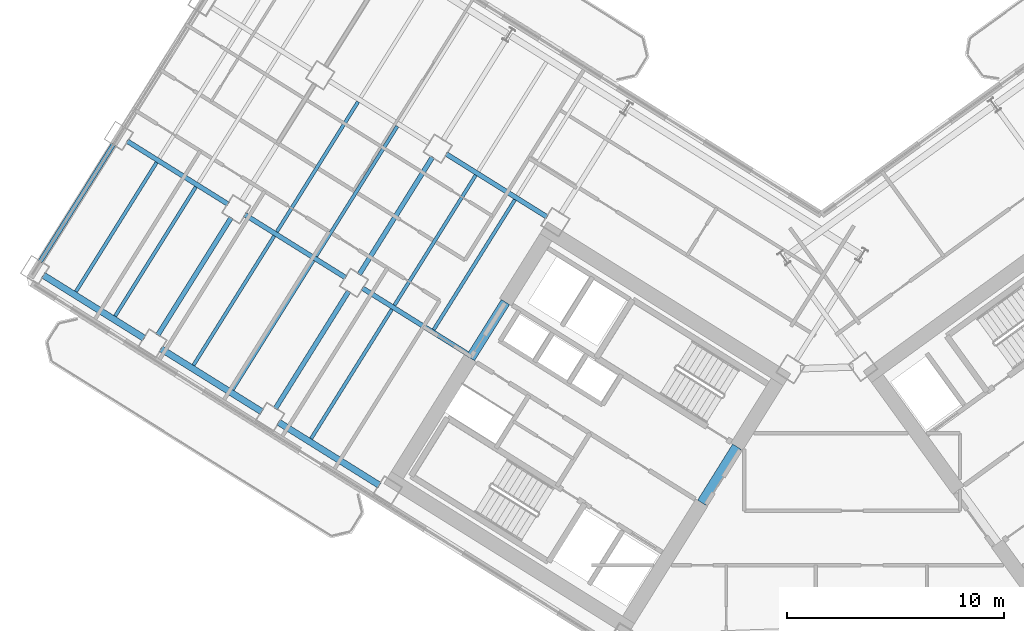
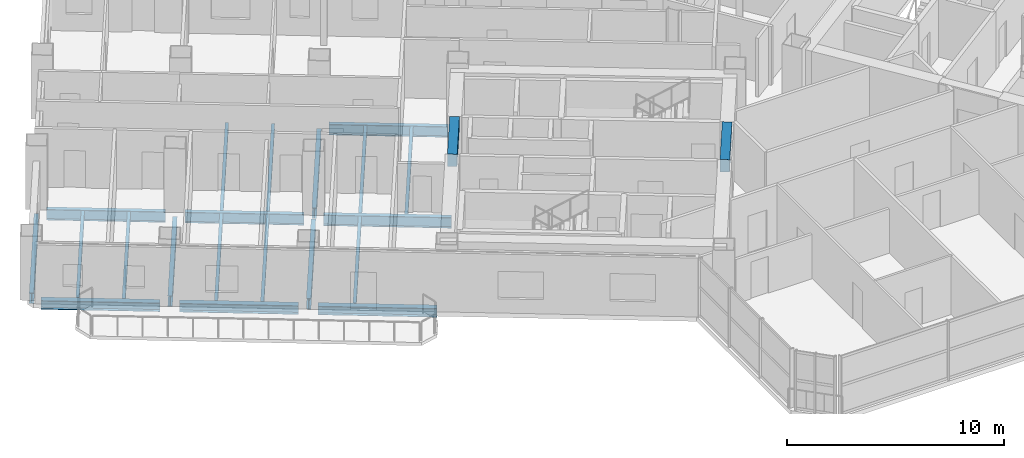
# One storey, part 5 of 21: 22 beams.
"""IFC4 building model written with IfcOpenShell, lengths in metres."""

from ifc_helpers import new_model, si_unit, direction, frame, origin, origin_2d, place, context, subcontext, project, spatial, rectangle, i_section, extrude, source, transform, mapped, material, material_profile, profile_set, type_object, element, save


model = new_model("IFC4")

# Units and contexts
model_context = context("Model", 3, precision=1e-05, world=origin(), true_north=direction((0.0, 1.0)))
body_context = subcontext(model_context, "Body", "Model", "MODEL_VIEW")
ifc_project = project(units=[si_unit("LENGTHUNIT", "METRE"), si_unit("AREAUNIT", "SQUARE_METRE"), si_unit("VOLUMEUNIT", "CUBIC_METRE"), si_unit("PLANEANGLEUNIT", "RADIAN"), si_unit("MASSUNIT", "GRAM", prefix="KILO")], contexts=[model_context])

# Site, building, storey
site_placement = place(None, origin())
site = spatial("IfcSite", under=ifc_project, at=site_placement, CompositionType="ELEMENT")
building_placement = place(site_placement, origin())
building = spatial("IfcBuilding", under=site, at=building_placement, Name="Tlacorven Tower", CompositionType="ELEMENT")
storey_placement = place(building_placement, frame((0.0, 0.0, 81.0)))
storey = spatial("IfcBuildingStorey", under=building, at=storey_placement, Name="L20", CompositionType="ELEMENT", Elevation=81.0)

# Beams
ifc_material_1 = material(Name="Concrete C60/75", Category="concrete")
ifc_material_profile_1 = material_profile(ifc_material_1, rectangle(XDim=0.449951171875, YDim=0.699951171875, at=origin_2d()), Name="RC 450X700")
ifc_profile_set_1 = profile_set([ifc_material_profile_1], Name="Concrete C60/75")
beam_type_1 = type_object("IfcBeamType", Name="BM-LNT-700", PredefinedType="LINTEL", material=ifc_profile_set_1)
shared_shape_1 = source(origin(), body_context, "Body", "SweptSolid", [
    extrude(rectangle(XDim=0.449951171875, YDim=0.699951171875, at=origin_2d()), origin(), (0.0, 0.0, 1.0), 3.050048828125),
])
beam_1_placement = place(storey_placement, frame((38.2998046875, 20.890625, 2.969970703125), z_axis=(-0.529984549635, -0.848007297815, 0.0), x_axis=(0.848007297815, -0.529984549635, 0.0)))
element("IfcBeam", 1, at=beam_1_placement, inside=storey, type_object=beam_type_1, Name="L20 W core coupling lintel beam E1", PredefinedType="LINTEL", context=body_context, shape_type="MappedRepresentation", body=[
    mapped(shared_shape_1, transform((0.0, 0.0, 0.0), scale=1.0)),
])
shared_shape_2 = source(origin(), body_context, "Body", "SweptSolid", [
    extrude(rectangle(XDim=0.449951171875, YDim=0.699951171875, at=origin_2d()), origin(), (0.0, 0.0, 1.0), 3.0498046875),
])
beam_2_placement = place(storey_placement, frame((27.622802734375, 27.562255859375, 2.969970703125), z_axis=(-0.529926983584, -0.848043272522, 0.0), x_axis=(0.848043272522, -0.529926983584, 0.0)))
element("IfcBeam", 2, at=beam_2_placement, inside=storey, type_object=beam_type_1, Name="L20 W core coupling lintel beam E2", PredefinedType="LINTEL", context=body_context, shape_type="MappedRepresentation", body=[
    mapped(shared_shape_2, transform((0.0, 0.0, 0.0), scale=1.0)),
])
ifc_material_2 = material(Name="Steel S355J2", Category="steel")
ifc_material_profile_2 = material_profile(ifc_material_2, i_section(OverallWidth=0.300048828125, OverallDepth=0.489990234375, WebThickness=0.011962890625, FlangeThickness=0.02294921875, at=origin_2d()), Name="HEA 500")
ifc_profile_set_2 = profile_set([ifc_material_profile_2], Name="Steel S355J2")
beam_type_2 = type_object("IfcBeamType", Name="BM-SPN-500", PredefinedType="SPANDREL", material=ifc_profile_set_2)
shared_shape_3 = source(origin(), body_context, "Body", "SweptSolid", [
    extrude(i_section(OverallWidth=0.300048828125, OverallDepth=0.489990234375, WebThickness=0.011962890625, FlangeThickness=0.02294921875, at=origin_2d()), origin(), (0.0, 0.0, 1.0), 5.5),
])
for number, where, z_axis, x_axis, name in (
    (3, (21.8095703125, 19.1083984375, -0.4951171875), (-0.848050668838, 0.52991514706, 0.0), (-0.52991514706, -0.848050668838, 0.0), "L20 beam BM-L20-WL4-3"),
    (4, (16.382080078125, 22.499755859375, -0.4951171875), (-0.848050668838, 0.52991514706, 0.0), (-0.52991514706, -0.848050668838, 0.0), "L20 beam BM-L20-WL4-4"),
    (5, (10.95458984375, 25.891357421875, -0.4951171875), (-0.848050668838, 0.52991514706, 0.0), (-0.52991514706, -0.848050668838, 0.0), "L20 beam BM-L20-WL4-5"),
):
    element("IfcBeam", number, at=place(storey_placement, frame(where, z_axis=z_axis, x_axis=x_axis)), inside=storey, type_object=beam_type_2, Name=name, PredefinedType="SPANDREL", context=body_context, shape_type="MappedRepresentation", body=[
        mapped(shared_shape_3, transform((0.0, 0.0, 0.0), scale=1.0)),
    ])
ifc_material_profile_3 = material_profile(ifc_material_2, i_section(OverallWidth=0.219970703125, OverallDepth=0.60009765625, WebThickness=0.011962890625, FlangeThickness=0.01904296875, at=origin_2d()), Name="IPE 600")
ifc_profile_set_3 = profile_set([ifc_material_profile_3], Name="Steel S355J2")
beam_type_3 = type_object("IfcBeamType", Name="BM-TWR-600", PredefinedType="BEAM", material=ifc_profile_set_3)
shared_shape_4 = source(origin(), body_context, "Body", "SweptSolid", [
    extrude(i_section(OverallWidth=0.219970703125, OverallDepth=0.60009765625, WebThickness=0.011962890625, FlangeThickness=0.01904296875, at=origin_2d()), origin(), (0.0, 0.0, 1.0), 5.909912109375),
])
beam_3_placement = place(storey_placement, frame((26.025634765625, 25.081787109375, -0.550048828125), z_axis=(-0.848047036595, 0.529920959883, 0.0), x_axis=(-0.529920959883, -0.848047036595, 0.0)))
element("IfcBeam", 6, at=beam_3_placement, inside=storey, type_object=beam_type_3, Name="L20 beam BM-L20-WL3-3", PredefinedType="BEAM", context=body_context, shape_type="MappedRepresentation", body=[
    mapped(shared_shape_4, transform((0.0, 0.0, 0.0), scale=1.0)),
])
shared_shape_5 = source(origin(), body_context, "Body", "SweptSolid", [
    extrude(i_section(OverallWidth=0.219970703125, OverallDepth=0.60009765625, WebThickness=0.011962890625, FlangeThickness=0.01904296875, at=origin_2d()), origin(), (0.0, 0.0, 1.0), 5.5),
])
for number, where, z_axis, x_axis, name in (
    (7, (29.54638671875, 31.48974609375, -0.550048828125), (-0.848050668838, 0.52991514706, 0.0), (-0.52991514706, -0.848050668838, 0.0), "L20 beam BM-L20-WL2-3"),
    (8, (20.25048828125, 28.690673828125, -0.550048828125), (-0.848050668838, 0.52991514706, 0.0), (-0.52991514706, -0.848050668838, 0.0), "L20 beam BM-L20-WL3-4"),
    (9, (14.822998046875, 32.08203125, -0.550048828125), (-0.848050668838, 0.52991514706, 0.0), (-0.52991514706, -0.848050668838, 0.0), "L20 beam BM-L20-WL3-5"),
):
    element("IfcBeam", number, at=place(storey_placement, frame(where, z_axis=z_axis, x_axis=x_axis)), inside=storey, type_object=beam_type_3, Name=name, PredefinedType="BEAM", context=body_context, shape_type="MappedRepresentation", body=[
        mapped(shared_shape_5, transform((0.0, 0.0, 0.0), scale=1.0)),
    ])
shared_shape_6 = source(origin(), body_context, "Body", "SweptSolid", [
    extrude(i_section(OverallWidth=0.219970703125, OverallDepth=0.60009765625, WebThickness=0.011962890625, FlangeThickness=0.01904296875, at=origin_2d()), origin(), (0.0, 0.0, 1.0), 6.39990234375),
])
for number, where, z_axis, x_axis, name in (
    (10, (24.261962890625, 34.26123046875, -0.550048828125), (-0.529906354247, -0.848056163074, 0.0), (0.848056163074, -0.529906354247, 0.0), "L20 beam BM-L20-WT4-2"),
    (11, (20.3935546875, 28.070556640625, -0.550048828125), (-0.529906354247, -0.848056163074, 0.0), (0.848056163074, -0.529906354247, 0.0), "L20 beam BM-L20-WT4-3"),
):
    element("IfcBeam", number, at=place(storey_placement, frame(where, z_axis=z_axis, x_axis=x_axis)), inside=storey, type_object=beam_type_3, Name=name, PredefinedType="BEAM", context=body_context, shape_type="MappedRepresentation", body=[
        mapped(shared_shape_6, transform((0.0, 0.0, 0.0), scale=1.0)),
    ])
shared_shape_7 = source(origin(), body_context, "Body", "SweptSolid", [
    extrude(i_section(OverallWidth=0.219970703125, OverallDepth=0.60009765625, WebThickness=0.011962890625, FlangeThickness=0.01904296875, at=origin_2d()), origin(), (0.0, 0.0, 1.0), 6.400146484375),
])
for number, where, z_axis, x_axis, name in (
    (12, (14.966064453125, 31.4619140625, -0.550048828125), (-0.529933789039, -0.848039019877, 0.0), (0.848039019877, -0.529933789039, 0.0), "L20 beam BM-L20-WT5-3"),
    (13, (9.53857421875, 34.853515625, -0.550048828125), (-0.529933789039, -0.848039019877, 0.0), (0.848039019877, -0.529933789039, 0.0), "L20 beam BM-L20-WT6-3"),
):
    element("IfcBeam", number, at=place(storey_placement, frame(where, z_axis=z_axis, x_axis=x_axis)), inside=storey, type_object=beam_type_3, Name=name, PredefinedType="BEAM", context=body_context, shape_type="MappedRepresentation", body=[
        mapped(shared_shape_7, transform((0.0, 0.0, 0.0), scale=1.0)),
    ])
ifc_material_profile_4 = material_profile(ifc_material_2, i_section(OverallWidth=0.159912109375, OverallDepth=0.330078125, WebThickness=0.007568359375, FlangeThickness=0.011474609375, at=origin_2d()), Name="IPE 330")
ifc_profile_set_4 = profile_set([ifc_material_profile_4], Name="Steel S355J2")
beam_type_4 = type_object("IfcBeamType", Name="BM-JST-330", PredefinedType="JOIST", material=ifc_profile_set_4)
shared_shape_8 = source(origin(), body_context, "Body", "SweptSolid", [
    extrude(i_section(OverallWidth=0.159912109375, OverallDepth=0.330078125, WebThickness=0.007568359375, FlangeThickness=0.011474609375, at=origin_2d()), origin(), (0.0, 0.0, 1.0), 7.030029296875),
])
for number, where, z_axis, x_axis, name in (
    (14, (22.380126953125, 27.22412109375, -0.4150390625), (-0.529911532383, -0.848052927504, 0.0), (0.848052927504, -0.529911532383, 0.0), "L20 beam BM-L20-WJ3-3-2"),
    (15, (18.761962890625, 29.485107421875, -0.4150390625), (-0.529911532383, -0.848052927504, 0.0), (0.848052927504, -0.529911532383, 0.0), "L20 beam BM-L20-WJ4-3-1"),
    (16, (16.95263671875, 30.615478515625, -0.4150390625), (-0.529927139185, -0.84804317529, 0.0), (0.84804317529, -0.529927139185, 0.0), "L20 beam BM-L20-WJ4-3-2"),
    (17, (13.33447265625, 32.87646484375, -0.4150390625), (-0.529927139185, -0.84804317529, 0.0), (0.84804317529, -0.529927139185, 0.0), "L20 beam BM-L20-WJ5-3-1"),
    (18, (11.525146484375, 34.007080078125, -0.4150390625), (-0.529911532383, -0.848052927504, 0.0), (0.848052927504, -0.529911532383, 0.0), "L20 beam BM-L20-WJ5-3-2"),
):
    element("IfcBeam", number, at=place(storey_placement, frame(where, z_axis=z_axis, x_axis=x_axis)), inside=storey, type_object=beam_type_4, Name=name, PredefinedType="JOIST", context=body_context, shape_type="MappedRepresentation", body=[
        mapped(shared_shape_8, transform((0.0, 0.0, 0.0), scale=1.0)),
    ])
shared_shape_9 = source(origin(), body_context, "Body", "SweptSolid", [
    extrude(i_section(OverallWidth=0.159912109375, OverallDepth=0.330078125, WebThickness=0.007568359375, FlangeThickness=0.011474609375, at=origin_2d()), origin(), (0.0, 0.0, 1.0), 7.070068359375),
])
for number, where, z_axis, x_axis, name in (
    (19, (28.057861328125, 32.284423828125, -0.4150390625), (-0.529915131461, -0.848050678585, 0.0), (0.848050678585, -0.529915131461, 0.0), "L20 beam BM-L20-WJ3-2-1"),
    (20, (22.63037109375, 35.67578125, -0.4150390625), (-0.529930649952, -0.848040981463, 0.0), (0.848040981463, -0.529930649952, 0.0), "L20 beam BM-L20-WJ4-2-1"),
    (21, (20.821044921875, 36.806396484375, -0.4150390625), (-0.529890296319, -0.84806619663, 0.0), (0.84806619663, -0.529890296319, 0.0), "L20 beam BM-L20-WJ4-2-2"),
):
    element("IfcBeam", number, at=place(storey_placement, frame(where, z_axis=z_axis, x_axis=x_axis)), inside=storey, type_object=beam_type_4, Name=name, PredefinedType="JOIST", context=body_context, shape_type="MappedRepresentation", body=[
        mapped(shared_shape_9, transform((0.0, 0.0, 0.0), scale=1.0)),
    ])
shared_shape_10 = source(origin(), body_context, "Body", "SweptSolid", [
    extrude(i_section(OverallWidth=0.159912109375, OverallDepth=0.330078125, WebThickness=0.007568359375, FlangeThickness=0.011474609375, at=origin_2d()), origin(), (0.0, 0.0, 1.0), 7.06982421875),
])
beam_4_placement = place(storey_placement, frame((26.24853515625, 33.414794921875, -0.4150390625), z_axis=(-0.52990581465, -0.84805650024, 0.0), x_axis=(0.84805650024, -0.52990581465, 0.0)))
element("IfcBeam", 22, at=beam_4_placement, inside=storey, type_object=beam_type_4, Name="L20 beam BM-L20-WJ3-2-2", PredefinedType="JOIST", context=body_context, shape_type="MappedRepresentation", body=[
    mapped(shared_shape_10, transform((0.0, 0.0, 0.0), scale=1.0)),
])

save(model, "model.ifc")
